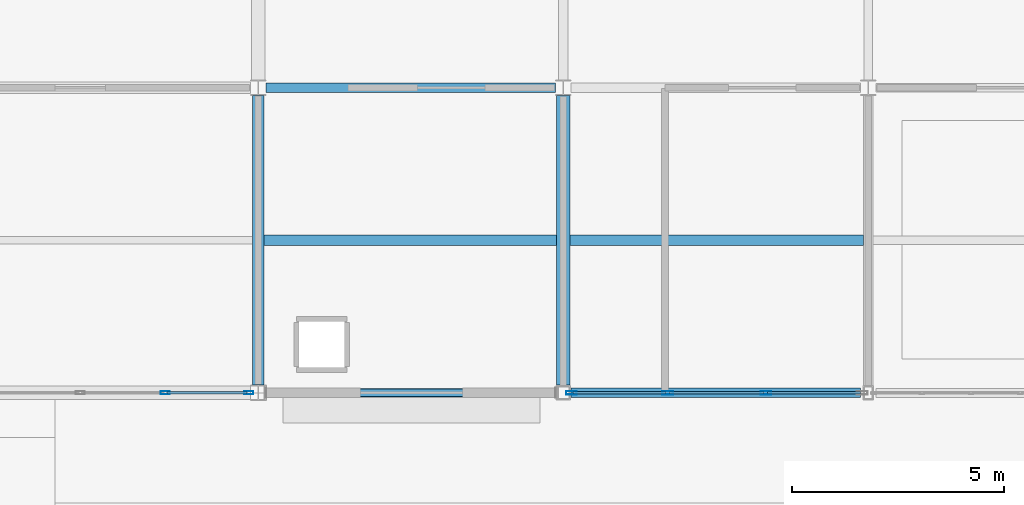
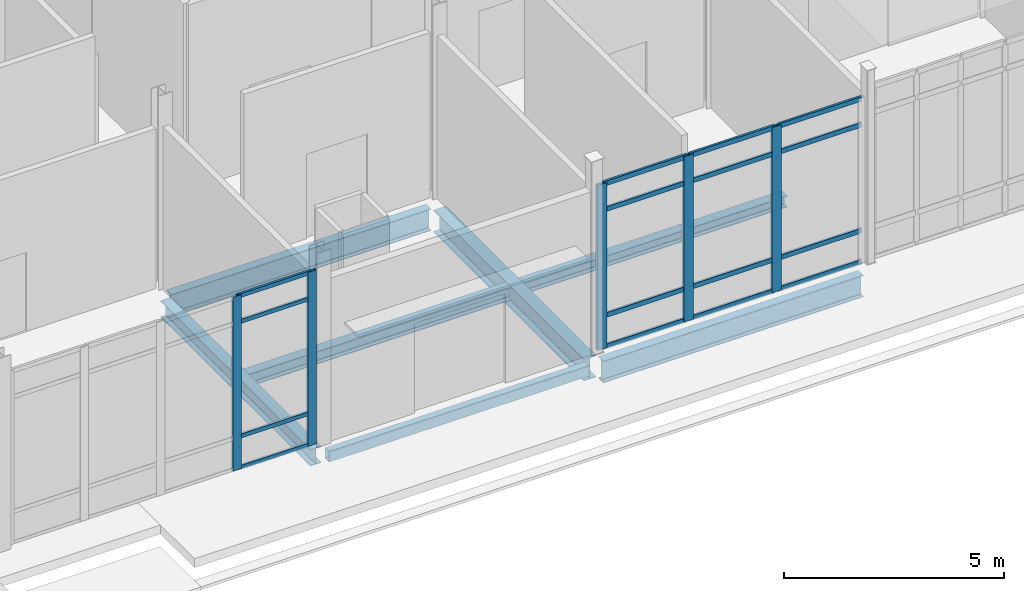
# One storey, part 48 of 229: 21 members, 7 beams, 2 elements without a shape of their own.
"""IFC4 building model written with IfcOpenShell, lengths in metres."""

from ifc_helpers import new_model, si_unit, direction, frame, origin, origin_2d, place, context, subcontext, project, spatial, hollow_rectangle, i_section, extrude, material, layer, layer_set, material_profile, profile_set, type_object, element, aggregate, save


model = new_model("IFC4")

# Units and contexts
model_context = context("Model", 3, precision=1e-05, world=origin(), true_north=direction((0.0, 1.0)))
body_context = subcontext(model_context, "Body", "Model", "MODEL_VIEW")
ifc_project = project(units=[si_unit("LENGTHUNIT", "METRE"), si_unit("AREAUNIT", "SQUARE_METRE"), si_unit("VOLUMEUNIT", "CUBIC_METRE"), si_unit("PLANEANGLEUNIT", "RADIAN"), si_unit("MASSUNIT", "GRAM", prefix="KILO")], contexts=[model_context])

# Site, building, storey
site_placement = place(None, origin())
site = spatial("IfcSite", under=ifc_project, at=site_placement, CompositionType="ELEMENT")
building_placement = place(site_placement, origin())
building = spatial("IfcBuilding", under=site, at=building_placement, Name="Calvrana Isthmian Art Gallery", CompositionType="ELEMENT")
storey_placement = place(building_placement, origin())
storey = spatial("IfcBuildingStorey", under=building, at=storey_placement, Name="L00", CompositionType="ELEMENT", Elevation=0.0)

# Beams
ifc_material_1 = material(Name="Steel ASTM A992 Gr 50", Category="steel")
ifc_material_profile_1 = material_profile(ifc_material_1, i_section(OverallWidth=0.279052734375, OverallDepth=0.4619140625, WebThickness=0.0107421875, FlangeThickness=0.017333984375, FilletRadius=0.02001953125, at=origin_2d()), Name="W18X76")
ifc_profile_set_1 = profile_set([ifc_material_profile_1], Name="Steel ASTM A992 Gr 50")
beam_type_1 = type_object("IfcBeamType", Name="BM-G-W18X76", PredefinedType="BEAM", material=ifc_profile_set_1)
beam_1_placement = place(storey_placement, frame((112.800048828125, 0.18408203125, -0.51611328125), z_axis=(0.0, 1.0, 0.0), x_axis=(-1.0, 0.0, 0.0)))
element("IfcBeam", 1, at=beam_1_placement, inside=storey, type_object=beam_type_1, Name="Girder Y L00 15/A-B", PredefinedType="BEAM", context=body_context, shape_type="SweptSolid", body=[
    extrude(i_section(OverallWidth=0.279052734375, OverallDepth=0.4619140625, WebThickness=0.0107421875, FlangeThickness=0.017333984375, FilletRadius=0.02001953125, at=origin_2d()), origin(), (0.0, 0.0, 1.0), 6.829345703125),
])
ifc_material_profile_2 = material_profile(ifc_material_1, i_section(OverallWidth=0.324951171875, OverallDepth=0.612060546875, WebThickness=0.0126953125, FlangeThickness=0.01904296875, FilletRadius=0.02197265625, at=origin_2d()), Name="W24X104")
ifc_profile_set_2 = profile_set([ifc_material_profile_2], Name="Steel ASTM A992 Gr 50")
beam_type_2 = type_object("IfcBeamType", Name="BM-G-W24X104", PredefinedType="BEAM", material=ifc_profile_set_2)
beam_2_placement = place(storey_placement, frame((120.0, 0.181396484375, -0.591064453125), z_axis=(0.0, 1.0, 0.0), x_axis=(-1.0, 0.0, 0.0)))
element("IfcBeam", 2, at=beam_2_placement, inside=storey, type_object=beam_type_2, Name="Girder Y L00 16/A-B", PredefinedType="BEAM", context=body_context, shape_type="SweptSolid", body=[
    extrude(i_section(OverallWidth=0.324951171875, OverallDepth=0.612060546875, WebThickness=0.0126953125, FlangeThickness=0.01904296875, FilletRadius=0.02197265625, at=origin_2d()), origin(), (0.0, 0.0, 1.0), 6.834716796875),
])
ifc_material_profile_3 = material_profile(ifc_material_1, i_section(OverallWidth=0.22802734375, OverallDepth=0.60693359375, WebThickness=0.01123046875, FlangeThickness=0.017333984375, FilletRadius=0.02197265625, at=origin_2d()), Name="W24X76")
ifc_profile_set_3 = profile_set([ifc_material_profile_3], Name="Steel ASTM A992 Gr 50")
beam_type_3 = type_object("IfcBeamType", Name="BM-G-W24X76", PredefinedType="BEAM", material=ifc_profile_set_3)
beam_3_placement = place(storey_placement, frame((120.185546875, 0.0, -0.58837890625), z_axis=(1.0, 0.0, 0.0), x_axis=(0.0, 1.0, 0.0)))
element("IfcBeam", 3, at=beam_3_placement, inside=storey, type_object=beam_type_3, Name="Girder X L00 16-17/A", PredefinedType="BEAM", context=body_context, shape_type="SweptSolid", body=[
    extrude(i_section(OverallWidth=0.22802734375, OverallDepth=0.60693359375, WebThickness=0.01123046875, FlangeThickness=0.017333984375, FilletRadius=0.02197265625, at=origin_2d()), origin(), (0.0, 0.0, 1.0), 6.83056640625),
])
beam_4_placement = place(storey_placement, frame((112.986572265625, 7.199951171875, -0.58837890625), z_axis=(1.0, 0.0, 0.0), x_axis=(0.0, 1.0, 0.0)))
element("IfcBeam", 4, at=beam_4_placement, inside=storey, type_object=beam_type_3, Name="Girder X L00 15-16/B", PredefinedType="BEAM", context=body_context, shape_type="SweptSolid", body=[
    extrude(i_section(OverallWidth=0.22802734375, OverallDepth=0.60693359375, WebThickness=0.01123046875, FlangeThickness=0.017333984375, FilletRadius=0.02197265625, at=origin_2d()), origin(), (0.0, 0.0, 1.0), 6.826904296875),
])
ifc_material_profile_4 = material_profile(ifc_material_1, i_section(OverallWidth=0.25390625, OverallDepth=0.306884765625, WebThickness=0.0087890625, FlangeThickness=0.0146484375, FilletRadius=0.01611328125, at=origin_2d()), Name="W12X53")
ifc_profile_set_4 = profile_set([ifc_material_profile_4], Name="Steel ASTM A992 Gr 50")
beam_type_4 = type_object("IfcBeamType", Name="BM-J-W12X53", PredefinedType="JOIST", material=ifc_profile_set_4)
beam_5_placement = place(storey_placement, frame((120.16259765625, 3.60009765625, -0.4384765625), z_axis=(1.0, 0.0, 0.0), x_axis=(0.0, 1.0, 0.0)))
element("IfcBeam", 5, at=beam_5_placement, inside=storey, type_object=beam_type_4, Name="Composite joist L00 bay 15-00", PredefinedType="JOIST", context=body_context, shape_type="SweptSolid", body=[
    extrude(i_section(OverallWidth=0.25390625, OverallDepth=0.306884765625, WebThickness=0.0087890625, FlangeThickness=0.0146484375, FilletRadius=0.01611328125, at=origin_2d()), origin(), (0.0, 0.0, 1.0), 6.92333984375),
])
ifc_material_profile_5 = material_profile(ifc_material_1, i_section(OverallWidth=0.25390625, OverallDepth=0.35302734375, WebThickness=0.009521484375, FlangeThickness=0.016357421875, FilletRadius=0.01806640625, at=origin_2d()), Name="W14X61")
ifc_profile_set_5 = profile_set([ifc_material_profile_5], Name="Steel ASTM A992 Gr 50")
beam_type_5 = type_object("IfcBeamType", Name="BM-J-W14X61", PredefinedType="JOIST", material=ifc_profile_set_5)
beam_6_placement = place(storey_placement, frame((112.939453125, 3.60009765625, -0.46142578125), z_axis=(1.0, 0.0, 0.0), x_axis=(0.0, 1.0, 0.0)))
element("IfcBeam", 6, at=beam_6_placement, inside=storey, type_object=beam_type_5, Name="Composite joist L00 bay 14-00", PredefinedType="JOIST", context=body_context, shape_type="SweptSolid", body=[
    extrude(i_section(OverallWidth=0.25390625, OverallDepth=0.35302734375, WebThickness=0.009521484375, FlangeThickness=0.016357421875, FilletRadius=0.01806640625, at=origin_2d()), origin(), (0.0, 0.0, 1.0), 6.89794921875),
])
ifc_material_2 = material(Name="Steel ASTM A500 Gr C", Category="steel")
ifc_material_profile_6 = material_profile(ifc_material_2, hollow_rectangle(XDim=0.203125, YDim=0.3046875, WallThickness=0.0126953125, OuterFilletRadius=0.02490234375, at=origin_2d()), Name="HSS305X203X12.7")
ifc_profile_set_6 = profile_set([ifc_material_profile_6], Name="Steel ASTM A500 Gr C")
beam_type_6 = type_object("IfcBeamType", Name="BM-SP-HSS305", PredefinedType="SPANDREL", material=ifc_profile_set_6)
beam_7_placement = place(storey_placement, frame((112.986572265625, 0.0, -0.4375), z_axis=(1.0, 0.0, 0.0), x_axis=(0.0, 1.0, 0.0)))
element("IfcBeam", 7, at=beam_7_placement, inside=storey, type_object=beam_type_6, Name="Girder X L00 15-16/A", PredefinedType="SPANDREL", context=body_context, shape_type="SweptSolid", body=[
    extrude(hollow_rectangle(XDim=0.203125, YDim=0.3046875, WallThickness=0.0126953125, OuterFilletRadius=0.02490234375, at=origin_2d()), origin(), (0.0, 0.0, 1.0), 6.827880859375),
])

# Curtain wall, members
ifc_material_3 = material(Name="Anodized bronze aluminium 6063-T6", Category="aluminium")
ifc_layer_1 = layer(ifc_material_3, 0.179931640625, Name="Anodized bronze aluminium 6063-T6")
ifc_layer_set_1 = layer_set([ifc_layer_1], Name="Anodized bronze aluminium 6063-T6")
curtain_wall_type_1 = type_object("IfcCurtainWallType", Name="CW-UNIT-080X48", PredefinedType="USERDEFINED", material=ifc_layer_set_1)
curtain_wall_1_placement = place(storey_placement, origin())
curtain_wall_1 = element("IfcCurtainWall", 8, at=curtain_wall_1_placement, inside=storey, type_object=curtain_wall_type_1, Name="Curtain wall CW-010", ObjectType="UNITISED CURTAIN WALL", PredefinedType="USERDEFINED")
ifc_material_profile_7 = material_profile(ifc_material_3, hollow_rectangle(XDim=0.074951171875, YDim=0.219970703125, WallThickness=0.0048828125, at=origin_2d()), Name="CWM75X220")
ifc_profile_set_7 = profile_set([ifc_material_profile_7], Name="Anodized bronze aluminium 6063-T6")
member_type_1 = type_object("IfcMemberType", Name="CWM-CWM75X220", PredefinedType="MULLION", material=ifc_profile_set_7)
member_1_placement = place(storey_placement, frame((112.575927734375, 0.0, 0.0), z_axis=(0.0, 0.0, 1.0), x_axis=(0.0, -1.0, 0.0)))
member_1 = element("IfcMember", 9, at=member_1_placement, type_object=member_type_1, Name="CW-010 mullion 1", PredefinedType="MULLION", context=body_context, shape_type="SweptSolid", body=[
    extrude(hollow_rectangle(XDim=0.074951171875, YDim=0.219970703125, WallThickness=0.0048828125, at=origin_2d()), origin(), (0.0, 0.0, 1.0), 4.835205078125),
])
member_2_placement = place(storey_placement, frame((110.606201171875, 0.0, 0.0), z_axis=(0.0, 0.0, 1.0), x_axis=(0.0, -1.0, 0.0)))
member_2 = element("IfcMember", 10, at=member_2_placement, type_object=member_type_1, Name="CW-010 mullion 2", PredefinedType="MULLION", context=body_context, shape_type="SweptSolid", body=[
    extrude(hollow_rectangle(XDim=0.074951171875, YDim=0.219970703125, WallThickness=0.0048828125, at=origin_2d()), origin(), (0.0, 0.0, 1.0), 4.835205078125),
])

ifc_layer_2 = layer(ifc_material_3, 0.179931640625, Name="Anodized bronze aluminium 6063-T6")
ifc_layer_set_2 = layer_set([ifc_layer_2], Name="Anodized bronze aluminium 6063-T6")
curtain_wall_type_2 = type_object("IfcCurtainWallType", Name="CW-STICK-069X46", PredefinedType="NOTDEFINED", material=ifc_layer_set_2)
curtain_wall_2_placement = place(storey_placement, origin())
curtain_wall_2 = element("IfcCurtainWall", 11, at=curtain_wall_2_placement, inside=storey, type_object=curtain_wall_type_2, Name="Curtain wall CW-011", PredefinedType="NOTDEFINED")
ifc_material_profile_8 = material_profile(ifc_material_3, hollow_rectangle(XDim=0.080078125, YDim=0.25, WallThickness=0.005615234375, at=origin_2d()), Name="CWM80X250")
ifc_profile_set_8 = profile_set([ifc_material_profile_8], Name="Anodized bronze aluminium 6063-T6")
member_type_2 = type_object("IfcMemberType", Name="CWM-CWM80X250", PredefinedType="MULLION", material=ifc_profile_set_8)
member_3_placement = place(storey_placement, frame((124.782958984375, 0.0, 0.0), z_axis=(0.0, 0.0, 1.0), x_axis=(0.0, -1.0, 0.0)))
member_3 = element("IfcMember", 12, at=member_3_placement, type_object=member_type_2, Name="CW-011 mullion 2", PredefinedType="MULLION", context=body_context, shape_type="SweptSolid", body=[
    extrude(hollow_rectangle(XDim=0.080078125, YDim=0.25, WallThickness=0.005615234375, at=origin_2d()), origin(), (0.0, 0.0, 1.0), 4.591064453125),
])
member_4_placement = place(storey_placement, frame((122.4677734375, 0.0, 0.0), z_axis=(0.0, 0.0, 1.0), x_axis=(0.0, -1.0, 0.0)))
member_4 = element("IfcMember", 13, at=member_4_placement, type_object=member_type_2, Name="CW-011 mullion 3", PredefinedType="MULLION", context=body_context, shape_type="SweptSolid", body=[
    extrude(hollow_rectangle(XDim=0.080078125, YDim=0.25, WallThickness=0.005615234375, at=origin_2d()), origin(), (0.0, 0.0, 1.0), 4.591064453125),
])
member_5_placement = place(storey_placement, frame((120.1923828125, 0.0, 0.0), z_axis=(0.0, 0.0, 1.0), x_axis=(0.0, -1.0, 0.0)))
member_5 = element("IfcMember", 14, at=member_5_placement, type_object=member_type_2, Name="CW-011 mullion 4", PredefinedType="MULLION", context=body_context, shape_type="SweptSolid", body=[
    extrude(hollow_rectangle(XDim=0.080078125, YDim=0.25, WallThickness=0.005615234375, at=origin_2d()), origin(), (0.0, 0.0, 1.0), 4.591064453125),
])

# Member
ifc_material_profile_9 = material_profile(ifc_material_3, hollow_rectangle(XDim=0.06005859375, YDim=0.110107421875, WallThickness=0.00341796875, at=origin_2d()), Name="CWT60X110")
ifc_profile_set_9 = profile_set([ifc_material_profile_9], Name="Anodized bronze aluminium 6063-T6")
member_type_3 = type_object("IfcMemberType", Name="CWT-CWT60X110", PredefinedType="USERDEFINED", material=ifc_profile_set_9)
member_6_placement = place(storey_placement, frame((112.53857421875, 0.0, 0.030029296875), z_axis=(-1.0, 0.0, 0.0), x_axis=(0.0, -1.0, 0.0)))
member_6 = element("IfcMember", 15, at=member_6_placement, type_object=member_type_3, Name="CW-010 transom 1.1", ObjectType="TRANSOM", PredefinedType="USERDEFINED", context=body_context, shape_type="SweptSolid", body=[
    extrude(hollow_rectangle(XDim=0.06005859375, YDim=0.110107421875, WallThickness=0.00341796875, at=origin_2d()), origin(), (0.0, 0.0, 1.0), 1.89501953125),
])

member_7_placement = place(storey_placement, frame((112.53857421875, 0.0, 0.89990234375), z_axis=(-1.0, 0.0, 0.0), x_axis=(0.0, -1.0, 0.0)))
member_7 = element("IfcMember", 16, at=member_7_placement, type_object=member_type_3, Name="CW-010 transom 1.2", ObjectType="TRANSOM", PredefinedType="USERDEFINED", context=body_context, shape_type="SweptSolid", body=[
    extrude(hollow_rectangle(XDim=0.06005859375, YDim=0.110107421875, WallThickness=0.00341796875, at=origin_2d()), origin(), (0.0, 0.0, 1.0), 1.89501953125),
])

member_8_placement = place(storey_placement, frame((112.53857421875, 0.0, 4.085205078125), z_axis=(-1.0, 0.0, 0.0), x_axis=(0.0, -1.0, 0.0)))
member_8 = element("IfcMember", 17, at=member_8_placement, type_object=member_type_3, Name="CW-010 transom 1.3", ObjectType="TRANSOM", PredefinedType="USERDEFINED", context=body_context, shape_type="SweptSolid", body=[
    extrude(hollow_rectangle(XDim=0.06005859375, YDim=0.110107421875, WallThickness=0.00341796875, at=origin_2d()), origin(), (0.0, 0.0, 1.0), 1.89501953125),
])

member_9_placement = place(storey_placement, frame((112.53857421875, 0.0, 4.80517578125), z_axis=(-1.0, 0.0, 0.0), x_axis=(0.0, -1.0, 0.0)))
member_9 = element("IfcMember", 18, at=member_9_placement, type_object=member_type_3, Name="CW-010 transom 1.4", ObjectType="TRANSOM", PredefinedType="USERDEFINED", context=body_context, shape_type="SweptSolid", body=[
    extrude(hollow_rectangle(XDim=0.06005859375, YDim=0.110107421875, WallThickness=0.00341796875, at=origin_2d()), origin(), (0.0, 0.0, 1.0), 1.89501953125),
])

aggregate(curtain_wall_1, [member_1, member_2, member_6, member_7, member_8, member_9])

ifc_material_profile_10 = material_profile(ifc_material_3, hollow_rectangle(XDim=0.06005859375, YDim=0.1298828125, WallThickness=0.00390625, at=origin_2d()), Name="CWT60X130")
ifc_profile_set_10 = profile_set([ifc_material_profile_10], Name="Anodized bronze aluminium 6063-T6")
member_type_4 = type_object("IfcMemberType", Name="CWT-CWT60X130", PredefinedType="USERDEFINED", material=ifc_profile_set_10)
member_10_placement = place(storey_placement, frame((127.018310546875, 0.0, 0.030029296875), z_axis=(-1.0, 0.0, 0.0), x_axis=(0.0, -1.0, 0.0)))
member_10 = element("IfcMember", 19, at=member_10_placement, type_object=member_type_4, Name="CW-011 transom 1.1", ObjectType="TRANSOM", PredefinedType="USERDEFINED", context=body_context, shape_type="SweptSolid", body=[
    extrude(hollow_rectangle(XDim=0.06005859375, YDim=0.1298828125, WallThickness=0.00390625, at=origin_2d()), origin(), (0.0, 0.0, 1.0), 2.1953125),
])

member_11_placement = place(storey_placement, frame((127.018310546875, 0.0, 0.89990234375), z_axis=(-1.0, 0.0, 0.0), x_axis=(0.0, -1.0, 0.0)))
member_11 = element("IfcMember", 20, at=member_11_placement, type_object=member_type_4, Name="CW-011 transom 1.2", ObjectType="TRANSOM", PredefinedType="USERDEFINED", context=body_context, shape_type="SweptSolid", body=[
    extrude(hollow_rectangle(XDim=0.06005859375, YDim=0.1298828125, WallThickness=0.00390625, at=origin_2d()), origin(), (0.0, 0.0, 1.0), 2.1953125),
])

member_12_placement = place(storey_placement, frame((127.018310546875, 0.0, 3.841064453125), z_axis=(-1.0, 0.0, 0.0), x_axis=(0.0, -1.0, 0.0)))
member_12 = element("IfcMember", 21, at=member_12_placement, type_object=member_type_4, Name="CW-011 transom 1.3", ObjectType="TRANSOM", PredefinedType="USERDEFINED", context=body_context, shape_type="SweptSolid", body=[
    extrude(hollow_rectangle(XDim=0.06005859375, YDim=0.1298828125, WallThickness=0.00390625, at=origin_2d()), origin(), (0.0, 0.0, 1.0), 2.1953125),
])

member_13_placement = place(storey_placement, frame((127.018310546875, 0.0, 4.56103515625), z_axis=(-1.0, 0.0, 0.0), x_axis=(0.0, -1.0, 0.0)))
member_13 = element("IfcMember", 22, at=member_13_placement, type_object=member_type_4, Name="CW-011 transom 1.4", ObjectType="TRANSOM", PredefinedType="USERDEFINED", context=body_context, shape_type="SweptSolid", body=[
    extrude(hollow_rectangle(XDim=0.06005859375, YDim=0.1298828125, WallThickness=0.00390625, at=origin_2d()), origin(), (0.0, 0.0, 1.0), 2.1953125),
])

member_14_placement = place(storey_placement, frame((124.7431640625, 0.0, 0.030029296875), z_axis=(-1.0, 0.0, 0.0), x_axis=(0.0, -1.0, 0.0)))
member_14 = element("IfcMember", 23, at=member_14_placement, type_object=member_type_4, Name="CW-011 transom 2.1", ObjectType="TRANSOM", PredefinedType="USERDEFINED", context=body_context, shape_type="SweptSolid", body=[
    extrude(hollow_rectangle(XDim=0.06005859375, YDim=0.1298828125, WallThickness=0.00390625, at=origin_2d()), origin(), (0.0, 0.0, 1.0), 2.2353515625),
])

member_15_placement = place(storey_placement, frame((124.7431640625, 0.0, 0.89990234375), z_axis=(-1.0, 0.0, 0.0), x_axis=(0.0, -1.0, 0.0)))
member_15 = element("IfcMember", 24, at=member_15_placement, type_object=member_type_4, Name="CW-011 transom 2.2", ObjectType="TRANSOM", PredefinedType="USERDEFINED", context=body_context, shape_type="SweptSolid", body=[
    extrude(hollow_rectangle(XDim=0.06005859375, YDim=0.1298828125, WallThickness=0.00390625, at=origin_2d()), origin(), (0.0, 0.0, 1.0), 2.2353515625),
])

member_16_placement = place(storey_placement, frame((124.7431640625, 0.0, 3.841064453125), z_axis=(-1.0, 0.0, 0.0), x_axis=(0.0, -1.0, 0.0)))
member_16 = element("IfcMember", 25, at=member_16_placement, type_object=member_type_4, Name="CW-011 transom 2.3", ObjectType="TRANSOM", PredefinedType="USERDEFINED", context=body_context, shape_type="SweptSolid", body=[
    extrude(hollow_rectangle(XDim=0.06005859375, YDim=0.1298828125, WallThickness=0.00390625, at=origin_2d()), origin(), (0.0, 0.0, 1.0), 2.2353515625),
])

member_17_placement = place(storey_placement, frame((124.7431640625, 0.0, 4.56103515625), z_axis=(-1.0, 0.0, 0.0), x_axis=(0.0, -1.0, 0.0)))
member_17 = element("IfcMember", 26, at=member_17_placement, type_object=member_type_4, Name="CW-011 transom 2.4", ObjectType="TRANSOM", PredefinedType="USERDEFINED", context=body_context, shape_type="SweptSolid", body=[
    extrude(hollow_rectangle(XDim=0.06005859375, YDim=0.1298828125, WallThickness=0.00390625, at=origin_2d()), origin(), (0.0, 0.0, 1.0), 2.2353515625),
])

member_18_placement = place(storey_placement, frame((122.427734375, 0.0, 0.030029296875), z_axis=(-1.0, 0.0, 0.0), x_axis=(0.0, -1.0, 0.0)))
member_18 = element("IfcMember", 27, at=member_18_placement, type_object=member_type_4, Name="CW-011 transom 3.1", ObjectType="TRANSOM", PredefinedType="USERDEFINED", context=body_context, shape_type="SweptSolid", body=[
    extrude(hollow_rectangle(XDim=0.06005859375, YDim=0.1298828125, WallThickness=0.00390625, at=origin_2d()), origin(), (0.0, 0.0, 1.0), 2.1953125),
])

member_19_placement = place(storey_placement, frame((122.427734375, 0.0, 0.89990234375), z_axis=(-1.0, 0.0, 0.0), x_axis=(0.0, -1.0, 0.0)))
member_19 = element("IfcMember", 28, at=member_19_placement, type_object=member_type_4, Name="CW-011 transom 3.2", ObjectType="TRANSOM", PredefinedType="USERDEFINED", context=body_context, shape_type="SweptSolid", body=[
    extrude(hollow_rectangle(XDim=0.06005859375, YDim=0.1298828125, WallThickness=0.00390625, at=origin_2d()), origin(), (0.0, 0.0, 1.0), 2.1953125),
])

member_20_placement = place(storey_placement, frame((122.427734375, 0.0, 3.841064453125), z_axis=(-1.0, 0.0, 0.0), x_axis=(0.0, -1.0, 0.0)))
member_20 = element("IfcMember", 29, at=member_20_placement, type_object=member_type_4, Name="CW-011 transom 3.3", ObjectType="TRANSOM", PredefinedType="USERDEFINED", context=body_context, shape_type="SweptSolid", body=[
    extrude(hollow_rectangle(XDim=0.06005859375, YDim=0.1298828125, WallThickness=0.00390625, at=origin_2d()), origin(), (0.0, 0.0, 1.0), 2.1953125),
])

member_21_placement = place(storey_placement, frame((122.427734375, 0.0, 4.56103515625), z_axis=(-1.0, 0.0, 0.0), x_axis=(0.0, -1.0, 0.0)))
member_21 = element("IfcMember", 30, at=member_21_placement, type_object=member_type_4, Name="CW-011 transom 3.4", ObjectType="TRANSOM", PredefinedType="USERDEFINED", context=body_context, shape_type="SweptSolid", body=[
    extrude(hollow_rectangle(XDim=0.06005859375, YDim=0.1298828125, WallThickness=0.00390625, at=origin_2d()), origin(), (0.0, 0.0, 1.0), 2.1953125),
])

aggregate(curtain_wall_2, [member_3, member_4, member_5, member_10, member_11, member_12, member_13, member_14, member_15, member_16, member_17, member_18, member_19, member_20, member_21])

save(model, "model.ifc")
